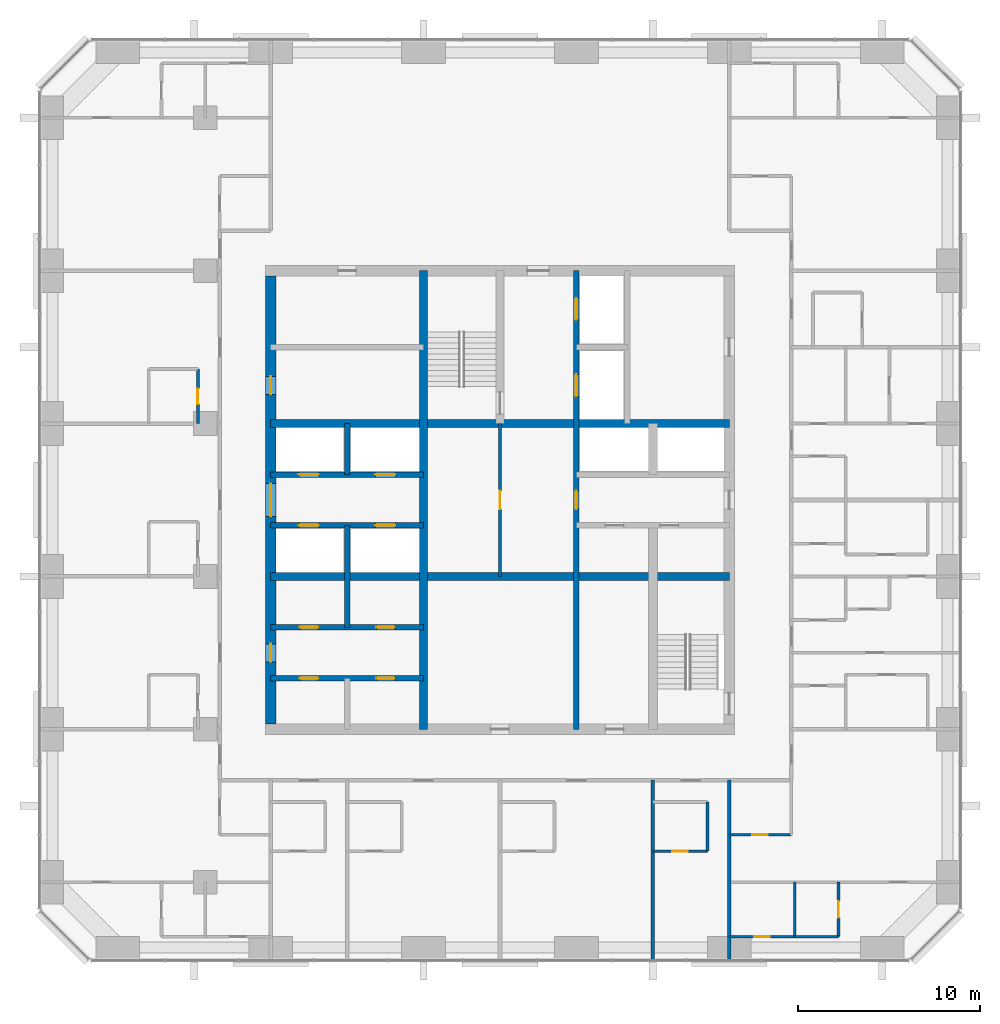
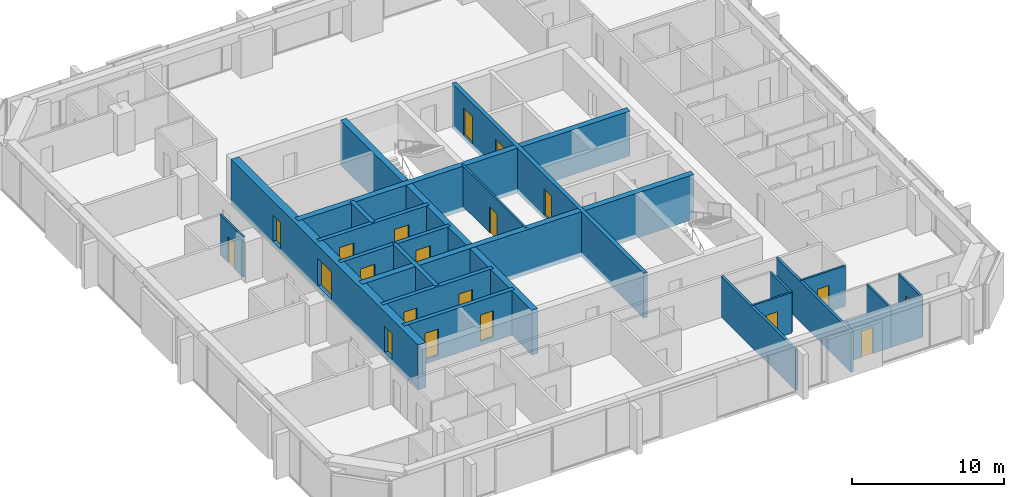
# One storey, part 9 of 13: 22 walls, 20 doors, 20 openings.
"""IFC4 building model written with IfcOpenShell, lengths in metres."""

from ifc_helpers import new_model, si_unit, direction, frame, frame_2d, origin, place, context, subcontext, project, spatial, rectangle, extrude, material, layer, layer_set, type_object, element, fill, save


model = new_model("IFC4")

# Units and contexts
model_context = context("Model", 3, precision=1e-05, world=origin(), true_north=direction((0.0, 1.0)))
body_context = subcontext(model_context, "Body", "Model", "MODEL_VIEW")
ifc_project = project(units=[si_unit("LENGTHUNIT", "METRE"), si_unit("AREAUNIT", "SQUARE_METRE"), si_unit("VOLUMEUNIT", "CUBIC_METRE"), si_unit("PLANEANGLEUNIT", "RADIAN"), si_unit("MASSUNIT", "GRAM", prefix="KILO")], contexts=[model_context])

# Site, building, storey
site_placement = place(None, origin())
site = spatial("IfcSite", under=ifc_project, at=site_placement, CompositionType="ELEMENT")
building_placement = place(site_placement, origin())
building = spatial("IfcBuilding", under=site, at=building_placement, Name="Dunama Terrace Hotel", CompositionType="ELEMENT")
storey_placement = place(building_placement, frame((0.0, 0.0, 187.800048828125)))
storey = spatial("IfcBuildingStorey", under=building, at=storey_placement, Name="L48", CompositionType="ELEMENT", Elevation=187.800048828125)

# Wall, opening, door
ifc_material_1 = material(Name="Gypsum board partition", Category="masonry")
ifc_layer_1 = layer(ifc_material_1, 0.14990234375)
ifc_layer_set_1 = layer_set([ifc_layer_1], Name="Bathroom partition 150")
wall_type_1 = type_object("IfcWallType", Name="Bathroom partition 150", PredefinedType="PARTITIONING", material=ifc_layer_set_1)
wall_1_placement = place(storey_placement, frame((12.800048828125, 33.60009765625, 0.0), z_axis=(0.0, 0.0, 1.0), x_axis=(0.0, 1.0, 0.0)))
wall_1 = element("IfcWall", 1, at=wall_1_placement, inside=storey, type_object=wall_type_1, Name="Bathroom partition 150 L48", PredefinedType="PARTITIONING", context=body_context, shape_type="SweptSolid", body=[
    extrude(rectangle(XDim=3.0, YDim=0.14990234375, at=frame_2d((1.5, 0.0))), origin(), (0.0, 0.0, 1.0), 3.25),
])
opening_1_placement = place(wall_1_placement, frame((1.074951171875, 0.0, 0.0)))
opening_1 = element("IfcOpeningElement", 2, at=opening_1_placement, cuts=wall_1, Name="Opening L48-50-038", PredefinedType="OPENING", context=body_context, shape_type="SweptSolid", body=[
    extrude(rectangle(XDim=0.85009765625, YDim=2.10009765625, at=frame_2d((0.425048828125, 1.050048828125))), frame((0.0, 0.0849609375, 0.0), z_axis=(0.0, -1.0, 0.0), x_axis=(1.0, 0.0, 0.0)), (0.0, 0.0, 1.0), 0.169921875),
])
ifc_material_2 = material(Name="Timber door with steel frame", Category="steel")
door_type_1 = type_object("IfcDoorType", Name="Bathroom door 850", OperationType="SINGLE_SWING_LEFT", PredefinedType="DOOR", material=ifc_material_2)
door_1_placement = place(opening_1_placement, origin())
door_1 = element("IfcDoor", 3, at=door_1_placement, inside=storey, type_object=door_type_1, Name="Door to en-suite bathroom L48-50-038, type D2", OperationType="SINGLE_SWING_LEFT", OverallHeight=2.10009765625, OverallWidth=0.85009765625, PredefinedType="DOOR", context=body_context, shape_type="SweptSolid", body=[
    extrude(rectangle(XDim=0.85009765625, YDim=2.10009765625, at=frame_2d((0.425048828125, 1.050048828125))), frame((0.0, 0.02490234375, 0.0), z_axis=(0.0, -1.0, 0.0), x_axis=(1.0, 0.0, 0.0)), (0.0, 0.0, 1.0), 0.050048828125),
])
fill(opening_1, door_1)

# Wall
wall_2_placement = place(storey_placement, frame((40.800048828125, 10.10009765625, 0.0), z_axis=(0.0, 0.0, 1.0), x_axis=(0.0, 1.0, 0.0)))
element("IfcWall", 4, at=wall_2_placement, inside=storey, type_object=wall_type_1, Name="Bathroom partition 150 L48", PredefinedType="PARTITIONING", context=body_context, shape_type="SweptSolid", body=[
    extrude(rectangle(XDim=2.699951171875, YDim=0.14990234375, at=frame_2d((1.35009765625, 0.0))), origin(), (0.0, 0.0, 1.0), 3.25),
])

# Wall, opening, door
wall_3_placement = place(storey_placement, frame((42.0, 5.39990234375, 0.0), z_axis=(0.0, 0.0, 1.0), x_axis=(1.0, 0.0, 0.0)))
wall_3 = element("IfcWall", 5, at=wall_3_placement, inside=storey, type_object=wall_type_1, Name="Bathroom partition 150 L48", PredefinedType="PARTITIONING", context=body_context, shape_type="SweptSolid", body=[
    extrude(rectangle(XDim=3.60009765625, YDim=0.14990234375, at=frame_2d((1.800048828125, 0.0))), origin(), (0.0, 0.0, 1.0), 3.25),
])
opening_2_placement = place(wall_3_placement, frame((1.375, 0.0, 0.0)))
opening_2 = element("IfcOpeningElement", 6, at=opening_2_placement, cuts=wall_3, Name="Opening L48-50-047", PredefinedType="OPENING", context=body_context, shape_type="SweptSolid", body=[
    extrude(rectangle(XDim=0.85009765625, YDim=2.10009765625, at=frame_2d((0.425048828125, 1.050048828125))), frame((0.0, 0.0849609375, 0.0), z_axis=(0.0, -1.0, 0.0), x_axis=(1.0, 0.0, 0.0)), (0.0, 0.0, 1.0), 0.169921875),
])
door_2_placement = place(opening_2_placement, origin())
door_2 = element("IfcDoor", 7, at=door_2_placement, inside=storey, type_object=door_type_1, Name="Door to en-suite bathroom L48-50-047, type D2", OperationType="SINGLE_SWING_LEFT", OverallHeight=2.10009765625, OverallWidth=0.85009765625, PredefinedType="DOOR", context=body_context, shape_type="SweptSolid", body=[
    extrude(rectangle(XDim=0.85009765625, YDim=2.10009765625, at=frame_2d((0.425048828125, 1.050048828125))), frame((0.0, 0.02490234375, 0.0), z_axis=(0.0, -1.0, 0.0), x_axis=(1.0, 0.0, 0.0)), (0.0, 0.0, 1.0), 0.050048828125),
])
fill(opening_2, door_2)

wall_4_placement = place(storey_placement, frame((37.800048828125, 10.10009765625, 0.0), z_axis=(0.0, 0.0, 1.0), x_axis=(1.0, 0.0, 0.0)))
wall_4 = element("IfcWall", 8, at=wall_4_placement, inside=storey, type_object=wall_type_1, Name="Bathroom partition 150 L48", PredefinedType="PARTITIONING", context=body_context, shape_type="SweptSolid", body=[
    extrude(rectangle(XDim=3.0, YDim=0.14990234375, at=frame_2d((1.5, 0.0))), origin(), (0.0, 0.0, 1.0), 3.25),
])
opening_3_placement = place(wall_4_placement, frame((1.074951171875, 0.0, 0.0)))
opening_3 = element("IfcOpeningElement", 9, at=opening_3_placement, cuts=wall_4, Name="Opening L48-50-016", PredefinedType="OPENING", context=body_context, shape_type="SweptSolid", body=[
    extrude(rectangle(XDim=0.85009765625, YDim=2.10009765625, at=frame_2d((0.425048828125, 1.050048828125))), frame((0.0, 0.0849609375, 0.0), z_axis=(0.0, -1.0, 0.0), x_axis=(1.0, 0.0, 0.0)), (0.0, 0.0, 1.0), 0.169921875),
])
door_3_placement = place(opening_3_placement, origin())
door_3 = element("IfcDoor", 10, at=door_3_placement, inside=storey, type_object=door_type_1, Name="Door to en-suite bathroom L48-50-016, type D2", OperationType="SINGLE_SWING_LEFT", OverallHeight=2.10009765625, OverallWidth=0.85009765625, PredefinedType="DOOR", context=body_context, shape_type="SweptSolid", body=[
    extrude(rectangle(XDim=0.85009765625, YDim=2.10009765625, at=frame_2d((0.425048828125, 1.050048828125))), frame((0.0, 0.02490234375, 0.0), z_axis=(0.0, -1.0, 0.0), x_axis=(1.0, 0.0, 0.0)), (0.0, 0.0, 1.0), 0.050048828125),
])
fill(opening_3, door_3)

wall_5_placement = place(storey_placement, frame((42.0, 11.0, 0.0), z_axis=(0.0, 0.0, 1.0), x_axis=(1.0, 0.0, 0.0)))
wall_5 = element("IfcWall", 11, at=wall_5_placement, inside=storey, type_object=wall_type_1, Name="Bathroom partition 150 L48", PredefinedType="PARTITIONING", context=body_context, shape_type="SweptSolid", body=[
    extrude(rectangle(XDim=3.39990234375, YDim=0.14990234375, at=frame_2d((1.699951171875, 0.0))), origin(), (0.0, 0.0, 1.0), 3.25),
])
opening_4_placement = place(wall_5_placement, frame((1.27490234375, 0.0, 0.0)))
opening_4 = element("IfcOpeningElement", 12, at=opening_4_placement, cuts=wall_5, Name="Opening L48-50-045", PredefinedType="OPENING", context=body_context, shape_type="SweptSolid", body=[
    extrude(rectangle(XDim=0.85009765625, YDim=2.10009765625, at=frame_2d((0.425048828125, 1.050048828125))), frame((0.0, 0.0849609375, 0.0), z_axis=(0.0, -1.0, 0.0), x_axis=(1.0, 0.0, 0.0)), (0.0, 0.0, 1.0), 0.169921875),
])
door_4_placement = place(opening_4_placement, origin())
door_4 = element("IfcDoor", 13, at=door_4_placement, inside=storey, type_object=door_type_1, Name="Door to powder room L48-50-045, type D2", OperationType="SINGLE_SWING_LEFT", OverallHeight=2.10009765625, OverallWidth=0.85009765625, PredefinedType="DOOR", context=body_context, shape_type="SweptSolid", body=[
    extrude(rectangle(XDim=0.85009765625, YDim=2.10009765625, at=frame_2d((0.425048828125, 1.050048828125))), frame((0.0, 0.02490234375, 0.0), z_axis=(0.0, -1.0, 0.0), x_axis=(1.0, 0.0, 0.0)), (0.0, 0.0, 1.0), 0.050048828125),
])
fill(opening_4, door_4)

# Walls
ifc_material_3 = material(Name="Concrete C50/60", Category="concrete")
ifc_layer_2 = layer(ifc_material_3, 0.300048828125)
ifc_layer_set_2 = layer_set([ifc_layer_2], Name="Core inner wall 300")
wall_type_2 = type_object("IfcWallType", Name="Core inner wall 300", PredefinedType="SHEAR", material=ifc_layer_set_2)
wall_6_placement = place(storey_placement, frame((21.0, 22.39990234375, -0.35009765625), z_axis=(0.0, 0.0, 1.0), x_axis=(0.0, 1.0, 0.0)))
element("IfcWall", 14, at=wall_6_placement, inside=storey, type_object=wall_type_2, Name="Core inner wall 300 L48", PredefinedType="SHEAR", context=body_context, shape_type="SweptSolid", body=[
    extrude(rectangle(XDim=5.60009765625, YDim=0.300048828125, at=frame_2d((2.800048828125, 0.0))), origin(), (0.0, 0.0, 1.0), 3.60009765625),
])
wall_7_placement = place(storey_placement, frame((21.0, 30.800048828125, -0.35009765625), z_axis=(0.0, 0.0, 1.0), x_axis=(0.0, 1.0, 0.0)))
element("IfcWall", 15, at=wall_7_placement, inside=storey, type_object=wall_type_2, Name="Core inner wall 300 L48", PredefinedType="SHEAR", context=body_context, shape_type="SweptSolid", body=[
    extrude(rectangle(XDim=2.800048828125, YDim=0.300048828125, at=frame_2d((1.39990234375, 0.0))), origin(), (0.0, 0.0, 1.0), 3.60009765625),
])

# Wall, openings, doors
wall_8_placement = place(storey_placement, frame((33.60009765625, 16.800048828125, -0.35009765625), z_axis=(0.0, 0.0, 1.0), x_axis=(0.0, 1.0, 0.0)))
wall_8 = element("IfcWall", 16, at=wall_8_placement, inside=storey, type_object=wall_type_2, Name="Core inner wall 300 L48", PredefinedType="SHEAR", context=body_context, shape_type="SweptSolid", body=[
    extrude(rectangle(XDim=25.199951171875, YDim=0.300048828125, at=frame_2d((12.60009765625, 0.0))), origin(), (0.0, 0.0, 1.0), 3.60009765625),
])
opening_5_placement = place(wall_8_placement, frame((22.5, 0.0, 0.35009765625)))
opening_5 = element("IfcOpeningElement", 17, at=opening_5_placement, cuts=wall_8, Name="Opening L48-50-007", PredefinedType="OPENING", context=body_context, shape_type="SweptSolid", body=[
    extrude(rectangle(XDim=1.199951171875, YDim=2.199951171875, at=frame_2d((0.60009765625, 1.10009765625))), frame((0.0, 0.159912109375, 0.0), z_axis=(0.0, -1.0, 0.0), x_axis=(1.0, 0.0, 0.0)), (0.0, 0.0, 1.0), 0.320068359375),
])
opening_6_placement = place(wall_8_placement, frame((18.300048828125, 0.0, 0.35009765625)))
opening_6 = element("IfcOpeningElement", 18, at=opening_6_placement, cuts=wall_8, Name="Opening L48-50-008", PredefinedType="OPENING", context=body_context, shape_type="SweptSolid", body=[
    extrude(rectangle(XDim=1.199951171875, YDim=2.199951171875, at=frame_2d((0.60009765625, 1.10009765625))), frame((0.0, 0.159912109375, 0.0), z_axis=(0.0, -1.0, 0.0), x_axis=(1.0, 0.0, 0.0)), (0.0, 0.0, 1.0), 0.320068359375),
])
opening_7_placement = place(wall_8_placement, frame((12.10009765625, 0.0, 0.35009765625)))
opening_7 = element("IfcOpeningElement", 19, at=opening_7_placement, cuts=wall_8, Name="Opening L48-50-067", PredefinedType="OPENING", context=body_context, shape_type="SweptSolid", body=[
    extrude(rectangle(XDim=1.0, YDim=2.10009765625, at=frame_2d((0.5, 1.050048828125))), frame((0.0, 0.159912109375, 0.0), z_axis=(0.0, -1.0, 0.0), x_axis=(1.0, 0.0, 0.0)), (0.0, 0.0, 1.0), 0.320068359375),
])
ifc_material_4 = material(Name="Stainless steel lift door", Category="steel")
door_type_2 = type_object("IfcDoorType", Name="Firefighting lift landing door 1200", OperationType="DOUBLE_DOOR_SLIDING", PredefinedType="DOOR", material=ifc_material_4)
door_5_placement = place(opening_5_placement, origin())
door_5 = element("IfcDoor", 20, at=door_5_placement, inside=storey, type_object=door_type_2, Name="Landing door FL1 L48-50-007, type LD2", OperationType="DOUBLE_DOOR_SLIDING", OverallHeight=2.199951171875, OverallWidth=1.199951171875, PredefinedType="DOOR", context=body_context, shape_type="SweptSolid", body=[
    extrude(rectangle(XDim=1.199951171875, YDim=2.199951171875, at=frame_2d((0.60009765625, 1.10009765625))), frame((0.0, 0.02490234375, 0.0), z_axis=(0.0, -1.0, 0.0), x_axis=(1.0, 0.0, 0.0)), (0.0, 0.0, 1.0), 0.050048828125),
])
fill(opening_5, door_5)
door_6_placement = place(opening_6_placement, origin())
door_6 = element("IfcDoor", 21, at=door_6_placement, inside=storey, type_object=door_type_2, Name="Landing door FL2 L48-50-008, type LD2", OperationType="DOUBLE_DOOR_SLIDING", OverallHeight=2.199951171875, OverallWidth=1.199951171875, PredefinedType="DOOR", context=body_context, shape_type="SweptSolid", body=[
    extrude(rectangle(XDim=1.199951171875, YDim=2.199951171875, at=frame_2d((0.60009765625, 1.10009765625))), frame((0.0, 0.02490234375, 0.0), z_axis=(0.0, -1.0, 0.0), x_axis=(1.0, 0.0, 0.0)), (0.0, 0.0, 1.0), 0.050048828125),
])
fill(opening_6, door_6)
ifc_material_5 = material(Name="Timber door with steel frame", Category="steel")
door_type_3 = type_object("IfcDoorType", Name="Service door 1000", OperationType="SINGLE_SWING_LEFT", PredefinedType="DOOR", material=ifc_material_5)
door_7_placement = place(opening_7_placement, origin())
door_7 = element("IfcDoor", 22, at=door_7_placement, inside=storey, type_object=door_type_3, Name="Door to linen store L48-50-067, type D7", OperationType="SINGLE_SWING_LEFT", OverallHeight=2.10009765625, OverallWidth=1.0, PredefinedType="DOOR", context=body_context, shape_type="SweptSolid", body=[
    extrude(rectangle(XDim=1.0, YDim=2.10009765625, at=frame_2d((0.5, 1.050048828125))), frame((0.0, 0.02490234375, 0.0), z_axis=(0.0, -1.0, 0.0), x_axis=(1.0, 0.0, 0.0)), (0.0, 0.0, 1.0), 0.050048828125),
])
fill(opening_7, door_7)

wall_9_placement = place(storey_placement, frame((16.800048828125, 19.60009765625, -0.35009765625), z_axis=(0.0, 0.0, 1.0), x_axis=(1.0, 0.0, 0.0)))
wall_9 = element("IfcWall", 23, at=wall_9_placement, inside=storey, type_object=wall_type_2, Name="Core inner wall 300 L48", PredefinedType="SHEAR", context=body_context, shape_type="SweptSolid", body=[
    extrude(rectangle(XDim=8.39990234375, YDim=0.300048828125, at=frame_2d((4.199951171875, 0.0))), origin(), (0.0, 0.0, 1.0), 3.60009765625),
])
opening_8_placement = place(wall_9_placement, frame((1.60009765625, 0.0, 0.35009765625)))
opening_8 = element("IfcOpeningElement", 24, at=opening_8_placement, cuts=wall_9, Name="Opening L48-50-060", PredefinedType="OPENING", context=body_context, shape_type="SweptSolid", body=[
    extrude(rectangle(XDim=1.0, YDim=2.10009765625, at=frame_2d((0.5, 1.050048828125))), frame((0.0, 0.159912109375, 0.0), z_axis=(0.0, -1.0, 0.0), x_axis=(1.0, 0.0, 0.0)), (0.0, 0.0, 1.0), 0.320068359375),
])
opening_9_placement = place(wall_9_placement, frame((5.800048828125, 0.0, 0.35009765625)))
opening_9 = element("IfcOpeningElement", 25, at=opening_9_placement, cuts=wall_9, Name="Opening L48-50-061", PredefinedType="OPENING", context=body_context, shape_type="SweptSolid", body=[
    extrude(rectangle(XDim=1.0, YDim=2.10009765625, at=frame_2d((0.5, 1.050048828125))), frame((0.0, 0.159912109375, 0.0), z_axis=(0.0, -1.0, 0.0), x_axis=(1.0, 0.0, 0.0)), (0.0, 0.0, 1.0), 0.320068359375),
])
door_8_placement = place(opening_8_placement, frame((1.0, 0.0, 0.0), z_axis=(0.0, 0.0, 1.0), x_axis=(-1.0, 0.0, 0.0)))
door_8 = element("IfcDoor", 26, at=door_8_placement, inside=storey, type_object=door_type_3, Name="Door to service riser L48-50-060, type D7", OperationType="SINGLE_SWING_RIGHT", OverallHeight=2.10009765625, OverallWidth=1.0, PredefinedType="DOOR", context=body_context, shape_type="SweptSolid", body=[
    extrude(rectangle(XDim=1.0, YDim=2.10009765625, at=frame_2d((0.5, 1.050048828125))), frame((0.0, 0.025146484375, 0.0), z_axis=(0.0, -1.0, 0.0), x_axis=(1.0, 0.0, 0.0)), (0.0, 0.0, 1.0), 0.050048828125),
])
fill(opening_8, door_8)
door_9_placement = place(opening_9_placement, frame((1.0, 0.0, 0.0), z_axis=(0.0, 0.0, 1.0), x_axis=(-1.0, 0.0, 0.0)))
door_9 = element("IfcDoor", 27, at=door_9_placement, inside=storey, type_object=door_type_3, Name="Door to housekeeping store L48-50-061, type D7", OperationType="SINGLE_SWING_LEFT", OverallHeight=2.10009765625, OverallWidth=1.0, PredefinedType="DOOR", context=body_context, shape_type="SweptSolid", body=[
    extrude(rectangle(XDim=1.0, YDim=2.10009765625, at=frame_2d((0.5, 1.050048828125))), frame((0.0, 0.025146484375, 0.0), z_axis=(0.0, -1.0, 0.0), x_axis=(1.0, 0.0, 0.0)), (0.0, 0.0, 1.0), 0.050048828125),
])
fill(opening_9, door_9)

wall_10_placement = place(storey_placement, frame((16.800048828125, 22.39990234375, -0.35009765625), z_axis=(0.0, 0.0, 1.0), x_axis=(1.0, 0.0, 0.0)))
wall_10 = element("IfcWall", 28, at=wall_10_placement, inside=storey, type_object=wall_type_2, Name="Core inner wall 300 L48", PredefinedType="SHEAR", context=body_context, shape_type="SweptSolid", body=[
    extrude(rectangle(XDim=8.39990234375, YDim=0.300048828125, at=frame_2d((4.199951171875, 0.0))), origin(), (0.0, 0.0, 1.0), 3.60009765625),
])
opening_10_placement = place(wall_10_placement, frame((1.60009765625, 0.0, 0.35009765625)))
opening_10 = element("IfcOpeningElement", 29, at=opening_10_placement, cuts=wall_10, Name="Opening L48-50-062", PredefinedType="OPENING", context=body_context, shape_type="SweptSolid", body=[
    extrude(rectangle(XDim=1.0, YDim=2.10009765625, at=frame_2d((0.5, 1.050048828125))), frame((0.0, 0.159912109375, 0.0), z_axis=(0.0, -1.0, 0.0), x_axis=(1.0, 0.0, 0.0)), (0.0, 0.0, 1.0), 0.320068359375),
])
opening_11_placement = place(wall_10_placement, frame((5.800048828125, 0.0, 0.35009765625)))
opening_11 = element("IfcOpeningElement", 30, at=opening_11_placement, cuts=wall_10, Name="Opening L48-50-063", PredefinedType="OPENING", context=body_context, shape_type="SweptSolid", body=[
    extrude(rectangle(XDim=1.0, YDim=2.10009765625, at=frame_2d((0.5, 1.050048828125))), frame((0.0, 0.159912109375, 0.0), z_axis=(0.0, -1.0, 0.0), x_axis=(1.0, 0.0, 0.0)), (0.0, 0.0, 1.0), 0.320068359375),
])
door_10_placement = place(opening_10_placement, origin())
door_10 = element("IfcDoor", 31, at=door_10_placement, inside=storey, type_object=door_type_3, Name="Door to staff accessible wc L48-50-062, type D7", OperationType="SINGLE_SWING_LEFT", OverallHeight=2.10009765625, OverallWidth=1.0, PredefinedType="DOOR", context=body_context, shape_type="SweptSolid", body=[
    extrude(rectangle(XDim=1.0, YDim=2.10009765625, at=frame_2d((0.5, 1.050048828125))), frame((0.0, 0.02490234375, 0.0), z_axis=(0.0, -1.0, 0.0), x_axis=(1.0, 0.0, 0.0)), (0.0, 0.0, 1.0), 0.050048828125),
])
fill(opening_10, door_10)
door_11_placement = place(opening_11_placement, origin())
door_11 = element("IfcDoor", 32, at=door_11_placement, inside=storey, type_object=door_type_3, Name="Door to it room L48-50-063, type D7", OperationType="SINGLE_SWING_RIGHT", OverallHeight=2.10009765625, OverallWidth=1.0, PredefinedType="DOOR", context=body_context, shape_type="SweptSolid", body=[
    extrude(rectangle(XDim=1.0, YDim=2.10009765625, at=frame_2d((0.5, 1.050048828125))), frame((0.0, 0.02490234375, 0.0), z_axis=(0.0, -1.0, 0.0), x_axis=(1.0, 0.0, 0.0)), (0.0, 0.0, 1.0), 0.050048828125),
])
fill(opening_11, door_11)

wall_11_placement = place(storey_placement, frame((16.800048828125, 28.0, -0.35009765625), z_axis=(0.0, 0.0, 1.0), x_axis=(1.0, 0.0, 0.0)))
wall_11 = element("IfcWall", 33, at=wall_11_placement, inside=storey, type_object=wall_type_2, Name="Core inner wall 300 L48", PredefinedType="SHEAR", context=body_context, shape_type="SweptSolid", body=[
    extrude(rectangle(XDim=8.39990234375, YDim=0.300048828125, at=frame_2d((4.199951171875, 0.0))), origin(), (0.0, 0.0, 1.0), 3.60009765625),
])
opening_12_placement = place(wall_11_placement, frame((1.550048828125, 0.0, 0.35009765625)))
opening_12 = element("IfcOpeningElement", 34, at=opening_12_placement, cuts=wall_11, Name="Opening L48-50-003", PredefinedType="OPENING", context=body_context, shape_type="SweptSolid", body=[
    extrude(rectangle(XDim=1.10009765625, YDim=2.199951171875, at=frame_2d((0.550048828125, 1.10009765625))), frame((0.0, 0.159912109375, 0.0), z_axis=(0.0, -1.0, 0.0), x_axis=(1.0, 0.0, 0.0)), (0.0, 0.0, 1.0), 0.320068359375),
])
opening_13_placement = place(wall_11_placement, frame((5.75, 0.0, 0.35009765625)))
opening_13 = element("IfcOpeningElement", 35, at=opening_13_placement, cuts=wall_11, Name="Opening L48-50-004", PredefinedType="OPENING", context=body_context, shape_type="SweptSolid", body=[
    extrude(rectangle(XDim=1.10009765625, YDim=2.199951171875, at=frame_2d((0.550048828125, 1.10009765625))), frame((0.0, 0.159912109375, 0.0), z_axis=(0.0, -1.0, 0.0), x_axis=(1.0, 0.0, 0.0)), (0.0, 0.0, 1.0), 0.320068359375),
])
ifc_material_6 = material(Name="Stainless steel lift door", Category="steel")
door_type_4 = type_object("IfcDoorType", Name="Lift landing door 1100", OperationType="DOUBLE_DOOR_SLIDING", PredefinedType="DOOR", material=ifc_material_6)
door_12_placement = place(opening_12_placement, origin())
door_12 = element("IfcDoor", 36, at=door_12_placement, inside=storey, type_object=door_type_4, Name="Landing door PC1 L48-50-003, type LD1", OperationType="DOUBLE_DOOR_SLIDING", OverallHeight=2.199951171875, OverallWidth=1.10009765625, PredefinedType="DOOR", context=body_context, shape_type="SweptSolid", body=[
    extrude(rectangle(XDim=1.10009765625, YDim=2.199951171875, at=frame_2d((0.550048828125, 1.10009765625))), frame((0.0, 0.02490234375, 0.0), z_axis=(0.0, -1.0, 0.0), x_axis=(1.0, 0.0, 0.0)), (0.0, 0.0, 1.0), 0.050048828125),
])
fill(opening_12, door_12)
door_13_placement = place(opening_13_placement, origin())
door_13 = element("IfcDoor", 37, at=door_13_placement, inside=storey, type_object=door_type_4, Name="Landing door PC2 L48-50-004, type LD1", OperationType="DOUBLE_DOOR_SLIDING", OverallHeight=2.199951171875, OverallWidth=1.10009765625, PredefinedType="DOOR", context=body_context, shape_type="SweptSolid", body=[
    extrude(rectangle(XDim=1.10009765625, YDim=2.199951171875, at=frame_2d((0.550048828125, 1.10009765625))), frame((0.0, 0.02490234375, 0.0), z_axis=(0.0, -1.0, 0.0), x_axis=(1.0, 0.0, 0.0)), (0.0, 0.0, 1.0), 0.050048828125),
])
fill(opening_13, door_13)

wall_12_placement = place(storey_placement, frame((16.800048828125, 30.800048828125, -0.35009765625), z_axis=(0.0, 0.0, 1.0), x_axis=(1.0, 0.0, 0.0)))
wall_12 = element("IfcWall", 38, at=wall_12_placement, inside=storey, type_object=wall_type_2, Name="Core inner wall 300 L48", PredefinedType="SHEAR", context=body_context, shape_type="SweptSolid", body=[
    extrude(rectangle(XDim=8.39990234375, YDim=0.300048828125, at=frame_2d((4.199951171875, 0.0))), origin(), (0.0, 0.0, 1.0), 3.60009765625),
])
opening_14_placement = place(wall_12_placement, frame((1.550048828125, 0.0, 0.35009765625)))
opening_14 = element("IfcOpeningElement", 39, at=opening_14_placement, cuts=wall_12, Name="Opening L48-50-005", PredefinedType="OPENING", context=body_context, shape_type="SweptSolid", body=[
    extrude(rectangle(XDim=1.10009765625, YDim=2.199951171875, at=frame_2d((0.550048828125, 1.10009765625))), frame((0.0, 0.159912109375, 0.0), z_axis=(0.0, -1.0, 0.0), x_axis=(1.0, 0.0, 0.0)), (0.0, 0.0, 1.0), 0.320068359375),
])
opening_15_placement = place(wall_12_placement, frame((5.75, 0.0, 0.35009765625)))
opening_15 = element("IfcOpeningElement", 40, at=opening_15_placement, cuts=wall_12, Name="Opening L48-50-006", PredefinedType="OPENING", context=body_context, shape_type="SweptSolid", body=[
    extrude(rectangle(XDim=1.10009765625, YDim=2.199951171875, at=frame_2d((0.550048828125, 1.10009765625))), frame((0.0, 0.159912109375, 0.0), z_axis=(0.0, -1.0, 0.0), x_axis=(1.0, 0.0, 0.0)), (0.0, 0.0, 1.0), 0.320068359375),
])
door_14_placement = place(opening_14_placement, origin())
door_14 = element("IfcDoor", 41, at=door_14_placement, inside=storey, type_object=door_type_4, Name="Landing door PC3 L48-50-005, type LD1", OperationType="DOUBLE_DOOR_SLIDING", OverallHeight=2.199951171875, OverallWidth=1.10009765625, PredefinedType="DOOR", context=body_context, shape_type="SweptSolid", body=[
    extrude(rectangle(XDim=1.10009765625, YDim=2.199951171875, at=frame_2d((0.550048828125, 1.10009765625))), frame((0.0, 0.02490234375, 0.0), z_axis=(0.0, -1.0, 0.0), x_axis=(1.0, 0.0, 0.0)), (0.0, 0.0, 1.0), 0.050048828125),
])
fill(opening_14, door_14)
door_15_placement = place(opening_15_placement, origin())
door_15 = element("IfcDoor", 42, at=door_15_placement, inside=storey, type_object=door_type_4, Name="Landing door PC4 L48-50-006, type LD1", OperationType="DOUBLE_DOOR_SLIDING", OverallHeight=2.199951171875, OverallWidth=1.10009765625, PredefinedType="DOOR", context=body_context, shape_type="SweptSolid", body=[
    extrude(rectangle(XDim=1.10009765625, YDim=2.199951171875, at=frame_2d((0.550048828125, 1.10009765625))), frame((0.0, 0.02490234375, 0.0), z_axis=(0.0, -1.0, 0.0), x_axis=(1.0, 0.0, 0.0)), (0.0, 0.0, 1.0), 0.050048828125),
])
fill(opening_15, door_15)

# Walls
ifc_material_7 = material(Name="Concrete C50/60", Category="concrete")
ifc_layer_3 = layer(ifc_material_7, 0.449951171875)
ifc_layer_set_3 = layer_set([ifc_layer_3], Name="Core inner wall 450")
wall_type_3 = type_object("IfcWallType", Name="Core inner wall 450", PredefinedType="SHEAR", material=ifc_layer_set_3)
for number, where, z_axis, x_axis, name in (
    (43, (25.199951171875, 16.800048828125, -0.35009765625), (0.0, 0.0, 1.0), (0.0, 1.0, 0.0), "Core inner wall 450 L48"),
    (44, (16.800048828125, 25.199951171875, -0.35009765625), (0.0, 0.0, 1.0), (1.0, 0.0, 0.0), "Core inner wall 450 L48"),
    (45, (16.800048828125, 33.60009765625, -0.35009765625), (0.0, 0.0, 1.0), (1.0, 0.0, 0.0), "Core inner wall 450 L48"),
):
    element("IfcWall", number, at=place(storey_placement, frame(where, z_axis=z_axis, x_axis=x_axis)), inside=storey, type_object=wall_type_3, Name=name, PredefinedType="SHEAR", context=body_context, shape_type="SweptSolid", body=[
        extrude(rectangle(XDim=25.199951171875, YDim=0.449951171875, at=frame_2d((12.60009765625, 0.0))), origin(), (0.0, 0.0, 1.0), 3.60009765625),
    ])

# Wall, openings, doors
ifc_material_8 = material(Name="Concrete C50/60", Category="concrete")
ifc_layer_4 = layer(ifc_material_8, 0.60009765625)
ifc_layer_set_4 = layer_set([ifc_layer_4], Name="Core wall 600")
wall_type_4 = type_object("IfcWallType", Name="Core wall 600", PredefinedType="SHEAR", material=ifc_layer_set_4)
wall_13_placement = place(storey_placement, frame((16.800048828125, 41.699951171875, -0.35009765625), z_axis=(0.0, 0.0, 1.0), x_axis=(0.0, -1.0, 0.0)))
wall_13 = element("IfcWall", 46, at=wall_13_placement, inside=storey, type_object=wall_type_4, Name="Core wall west L48", PredefinedType="SHEAR", context=body_context, shape_type="SweptSolid", body=[
    extrude(rectangle(XDim=24.599853515625, YDim=0.60009765625, at=frame_2d((12.2998046875, 0.0))), origin(), (0.0, 0.0, 1.0), 3.60009765625),
])
opening_16_placement = place(wall_13_placement, frame((11.39990234375, 0.0, 0.35009765625)))
opening_16 = element("IfcOpeningElement", 47, at=opening_16_placement, cuts=wall_13, Name="Opening L48-50-059", PredefinedType="OPENING", context=body_context, shape_type="SweptSolid", body=[
    extrude(rectangle(XDim=1.800048828125, YDim=2.199951171875, at=frame_2d((0.89990234375, 1.10009765625))), frame((0.0, 0.31005859375, 0.0), z_axis=(0.0, -1.0, 0.0), x_axis=(1.0, 0.0, 0.0)), (0.0, 0.0, 1.0), 0.6201171875),
])
opening_17_placement = place(wall_13_placement, frame((20.199951171875, 0.0, 0.35009765625)))
opening_17 = element("IfcOpeningElement", 48, at=opening_17_placement, cuts=wall_13, Name="Opening L48-50-064", PredefinedType="OPENING", context=body_context, shape_type="SweptSolid", body=[
    extrude(rectangle(XDim=1.0, YDim=2.10009765625, at=frame_2d((0.5, 1.050048828125))), frame((0.0, 0.31005859375, 0.0), z_axis=(0.0, -1.0, 0.0), x_axis=(1.0, 0.0, 0.0)), (0.0, 0.0, 1.0), 0.6201171875),
])
opening_18_placement = place(wall_13_placement, frame((5.5, 0.0, 0.35009765625)))
opening_18 = element("IfcOpeningElement", 49, at=opening_18_placement, cuts=wall_13, Name="Opening L48-50-065", PredefinedType="OPENING", context=body_context, shape_type="SweptSolid", body=[
    extrude(rectangle(XDim=1.0, YDim=2.10009765625, at=frame_2d((0.5, 1.050048828125))), frame((0.0, 0.31005859375, 0.0), z_axis=(0.0, -1.0, 0.0), x_axis=(1.0, 0.0, 0.0)), (0.0, 0.0, 1.0), 0.6201171875),
])
ifc_material_9 = material(Name="Timber door with steel frame", Category="steel")
door_type_5 = type_object("IfcDoorType", Name="Lift lobby double door 1800", OperationType="DOUBLE_DOOR_DOUBLE_SWING", PredefinedType="DOOR", material=ifc_material_9)
door_16_placement = place(opening_16_placement, origin())
door_16 = element("IfcDoor", 50, at=door_16_placement, inside=storey, type_object=door_type_5, Name="Door to lift lobby L48-50-059, type D3", OperationType="DOUBLE_DOOR_DOUBLE_SWING", OverallHeight=2.199951171875, OverallWidth=1.800048828125, PredefinedType="DOOR", context=body_context, shape_type="SweptSolid", body=[
    extrude(rectangle(XDim=1.800048828125, YDim=2.199951171875, at=frame_2d((0.89990234375, 1.10009765625))), frame((0.0, 0.02490234375, 0.0), z_axis=(0.0, -1.0, 0.0), x_axis=(1.0, 0.0, 0.0)), (0.0, 0.0, 1.0), 0.050048828125),
])
fill(opening_16, door_16)
door_17_placement = place(opening_17_placement, origin())
door_17 = element("IfcDoor", 51, at=door_17_placement, inside=storey, type_object=door_type_3, Name="Door to back-of-house lobby L48-50-064, type D7", OperationType="SINGLE_SWING_LEFT", OverallHeight=2.10009765625, OverallWidth=1.0, PredefinedType="DOOR", context=body_context, shape_type="SweptSolid", body=[
    extrude(rectangle(XDim=1.0, YDim=2.10009765625, at=frame_2d((0.5, 1.050048828125))), frame((0.0, 0.02490234375, 0.0), z_axis=(0.0, -1.0, 0.0), x_axis=(1.0, 0.0, 0.0)), (0.0, 0.0, 1.0), 0.050048828125),
])
fill(opening_17, door_17)
door_18_placement = place(opening_18_placement, origin())
door_18 = element("IfcDoor", 52, at=door_18_placement, inside=storey, type_object=door_type_3, Name="Door to electrical room L48-50-065, type D7", OperationType="SINGLE_SWING_RIGHT", OverallHeight=2.10009765625, OverallWidth=1.0, PredefinedType="DOOR", context=body_context, shape_type="SweptSolid", body=[
    extrude(rectangle(XDim=1.0, YDim=2.10009765625, at=frame_2d((0.5, 1.050048828125))), frame((0.0, 0.02490234375, 0.0), z_axis=(0.0, -1.0, 0.0), x_axis=(1.0, 0.0, 0.0)), (0.0, 0.0, 1.0), 0.050048828125),
])
fill(opening_18, door_18)

# Walls
ifc_material_10 = material(Name="Concrete blockwork", Category="masonry")
ifc_layer_5 = layer(ifc_material_10, 0.199951171875)
ifc_layer_set_5 = layer_set([ifc_layer_5], Name="Party wall 200")
wall_type_5 = type_object("IfcWallType", Name="Party wall 200", PredefinedType="PARTITIONING", material=ifc_layer_set_5)
for number, where, z_axis, x_axis, name in (
    (53, (37.800048828125, 4.181884765625, 0.0), (0.0, 0.0, 1.0), (0.0, 1.0, 0.0), "Party wall 200 L48"),
    (54, (42.0, 4.181884765625, 0.0), (0.0, 0.0, 1.0), (0.0, 1.0, 0.0), "Party wall 200 L48"),
):
    element("IfcWall", number, at=place(storey_placement, frame(where, z_axis=z_axis, x_axis=x_axis)), inside=storey, type_object=wall_type_5, Name=name, PredefinedType="PARTITIONING", context=body_context, shape_type="SweptSolid", body=[
        extrude(rectangle(XDim=9.818115234375, YDim=0.199951171875, at=frame_2d((4.9091796875, 0.0))), origin(), (0.0, 0.0, 1.0), 3.25),
    ])

# Wall, opening, door
ifc_material_11 = material(Name="Gypsum board partition", Category="masonry")
ifc_layer_6 = layer(ifc_material_11, 0.14990234375)
ifc_layer_set_6 = layer_set([ifc_layer_6], Name="Room partition 150")
wall_type_6 = type_object("IfcWallType", Name="Room partition 150", PredefinedType="PARTITIONING", material=ifc_layer_set_6)
wall_14_placement = place(storey_placement, frame((29.39990234375, 25.199951171875, 0.0), z_axis=(0.0, 0.0, 1.0), x_axis=(0.0, 1.0, 0.0)))
wall_14 = element("IfcWall", 55, at=wall_14_placement, inside=storey, type_object=wall_type_6, Name="Room partition 150 L48", PredefinedType="PARTITIONING", context=body_context, shape_type="SweptSolid", body=[
    extrude(rectangle(XDim=8.400146484375, YDim=0.14990234375, at=frame_2d((4.2001953125, 0.0))), origin(), (0.0, 0.0, 1.0), 3.25),
])
opening_19_placement = place(wall_14_placement, frame((3.699951171875, 0.0, 0.0)))
opening_19 = element("IfcOpeningElement", 56, at=opening_19_placement, cuts=wall_14, Name="Opening L48-50-068", PredefinedType="OPENING", context=body_context, shape_type="SweptSolid", body=[
    extrude(rectangle(XDim=1.0, YDim=2.10009765625, at=frame_2d((0.5, 1.050048828125))), frame((0.0, 0.0849609375, 0.0), z_axis=(0.0, -1.0, 0.0), x_axis=(1.0, 0.0, 0.0)), (0.0, 0.0, 1.0), 0.169921875),
])
door_19_placement = place(opening_19_placement, origin())
door_19 = element("IfcDoor", 57, at=door_19_placement, inside=storey, type_object=door_type_3, Name="Door to guest amenities store L48-50-068, type D7", OperationType="SINGLE_SWING_LEFT", OverallHeight=2.10009765625, OverallWidth=1.0, PredefinedType="DOOR", context=body_context, shape_type="SweptSolid", body=[
    extrude(rectangle(XDim=1.0, YDim=2.10009765625, at=frame_2d((0.5, 1.050048828125))), frame((0.0, 0.02490234375, 0.0), z_axis=(0.0, -1.0, 0.0), x_axis=(1.0, 0.0, 0.0)), (0.0, 0.0, 1.0), 0.050048828125),
])
fill(opening_19, door_19)

# Wall
wall_15_placement = place(storey_placement, frame((45.60009765625, 5.39990234375, 0.0), z_axis=(0.0, 0.0, 1.0), x_axis=(0.0, 1.0, 0.0)))
element("IfcWall", 58, at=wall_15_placement, inside=storey, type_object=wall_type_6, Name="Room partition 150 L48", PredefinedType="PARTITIONING", context=body_context, shape_type="SweptSolid", body=[
    extrude(rectangle(XDim=3.0, YDim=0.14990234375, at=frame_2d((1.5, 0.0))), origin(), (0.0, 0.0, 1.0), 3.25),
])

# Wall, opening, door
wall_16_placement = place(storey_placement, frame((48.0, 5.39990234375, 0.0), z_axis=(0.0, 0.0, 1.0), x_axis=(0.0, 1.0, 0.0)))
wall_16 = element("IfcWall", 59, at=wall_16_placement, inside=storey, type_object=wall_type_6, Name="Room partition 150 L48", PredefinedType="PARTITIONING", context=body_context, shape_type="SweptSolid", body=[
    extrude(rectangle(XDim=3.0, YDim=0.14990234375, at=frame_2d((1.5, 0.0))), origin(), (0.0, 0.0, 1.0), 3.25),
])
opening_20_placement = place(wall_16_placement, frame((1.050048828125, 0.0, 0.0)))
opening_20 = element("IfcOpeningElement", 60, at=opening_20_placement, cuts=wall_16, Name="Opening L48-50-048", PredefinedType="OPENING", context=body_context, shape_type="SweptSolid", body=[
    extrude(rectangle(XDim=0.89990234375, YDim=2.10009765625, at=frame_2d((0.449951171875, 1.050048828125))), frame((0.0, 0.0849609375, 0.0), z_axis=(0.0, -1.0, 0.0), x_axis=(1.0, 0.0, 0.0)), (0.0, 0.0, 1.0), 0.169921875),
])
ifc_material_12 = material(Name="Timber door with steel frame", Category="steel")
door_type_6 = type_object("IfcDoorType", Name="Suite internal door 900", OperationType="SINGLE_SWING_LEFT", PredefinedType="DOOR", material=ifc_material_12)
door_20_placement = place(opening_20_placement, origin())
door_20 = element("IfcDoor", 61, at=door_20_placement, inside=storey, type_object=door_type_6, Name="Door to dressing room L48-50-048, type D16", OperationType="SINGLE_SWING_LEFT", OverallHeight=2.10009765625, OverallWidth=0.89990234375, PredefinedType="DOOR", context=body_context, shape_type="SweptSolid", body=[
    extrude(rectangle(XDim=0.89990234375, YDim=2.10009765625, at=frame_2d((0.449951171875, 1.050048828125))), frame((0.0, 0.02490234375, 0.0), z_axis=(0.0, -1.0, 0.0), x_axis=(1.0, 0.0, 0.0)), (0.0, 0.0, 1.0), 0.050048828125),
])
fill(opening_20, door_20)

# Wall
wall_17_placement = place(storey_placement, frame((45.60009765625, 5.39990234375, 0.0), z_axis=(0.0, 0.0, 1.0), x_axis=(1.0, 0.0, 0.0)))
element("IfcWall", 62, at=wall_17_placement, inside=storey, type_object=wall_type_6, Name="Room partition 150 L48", PredefinedType="PARTITIONING", context=body_context, shape_type="SweptSolid", body=[
    extrude(rectangle(XDim=2.39990234375, YDim=0.14990234375, at=frame_2d((1.199951171875, 0.0))), origin(), (0.0, 0.0, 1.0), 3.25),
])

save(model, "model.ifc")
